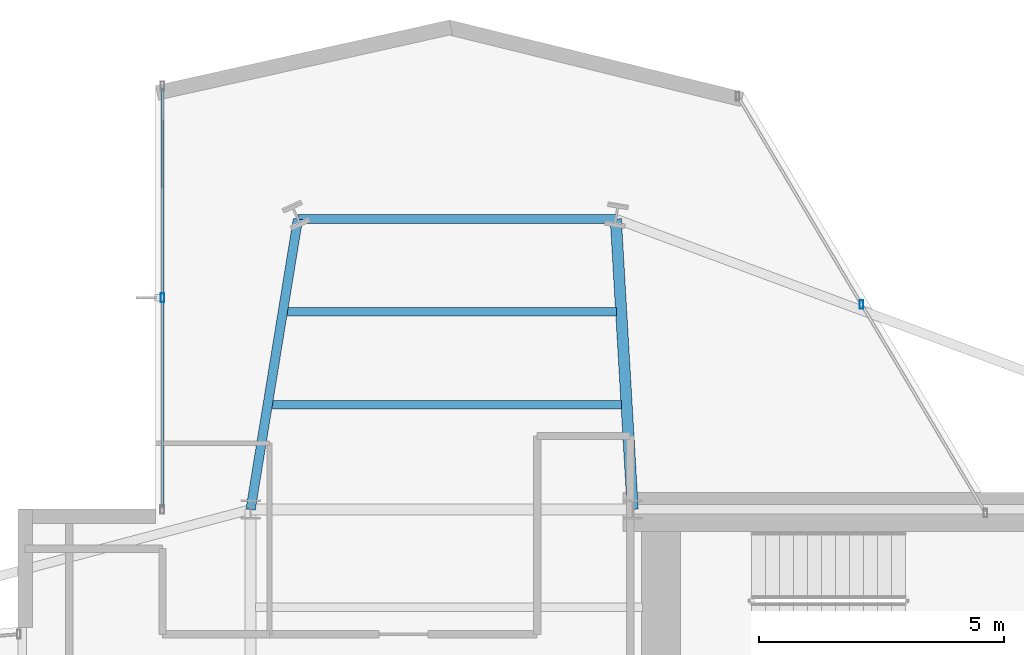
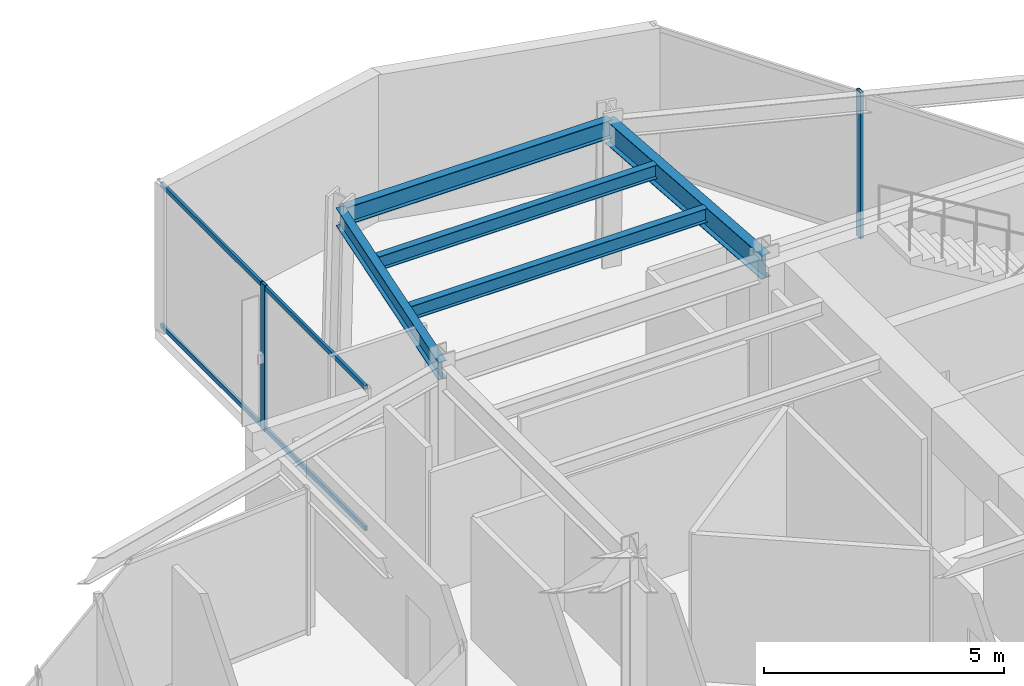
# One storey, part 12 of 23: 5 beams, 4 members, 2 elements without a shape of their own.
"""IFC4 building model written with IfcOpenShell, lengths in metres."""

from ifc_helpers import new_model, si_unit, direction, frame, origin, origin_2d, place, context, subcontext, project, spatial, hollow_rectangle, i_section, extrude, material, layer, layer_set, material_profile, profile_set, type_object, element, aggregate, save


model = new_model("IFC4")

# Units and contexts
model_context = context("Model", 3, precision=1e-05, world=origin(), true_north=direction((0.0, 1.0)))
body_context = subcontext(model_context, "Body", "Model", "MODEL_VIEW")
ifc_project = project(units=[si_unit("LENGTHUNIT", "METRE"), si_unit("AREAUNIT", "SQUARE_METRE"), si_unit("VOLUMEUNIT", "CUBIC_METRE"), si_unit("PLANEANGLEUNIT", "RADIAN"), si_unit("MASSUNIT", "GRAM", prefix="KILO")], contexts=[model_context])

# Site, building, storey
site_placement = place(None, origin())
site = spatial("IfcSite", under=ifc_project, at=site_placement, CompositionType="ELEMENT")
building_placement = place(site_placement, origin())
building = spatial("IfcBuilding", under=site, at=building_placement, Name="Veymaron Broadcast Tower", CompositionType="ELEMENT")
storey_placement = place(building_placement, frame((0.0, 0.0, 177.60009765625)))
storey = spatial("IfcBuildingStorey", under=building, at=storey_placement, Name="L41", CompositionType="ELEMENT", Elevation=177.60009765625)

# Beams
ifc_material_1 = material(Name="Structural steel ASTM A992 Gr 50", Category="steel")
ifc_material_profile_1 = material_profile(ifc_material_1, i_section(OverallWidth=0.22802734375, OverallDepth=0.60791015625, WebThickness=0.01123046875, FlangeThickness=0.017333984375, at=origin_2d()), Name="W610X113")
ifc_profile_set_1 = profile_set([ifc_material_profile_1], Name="Structural steel ASTM A992 Gr 50")
beam_type_1 = type_object("IfcBeamType", Name="BM-FG2", PredefinedType="BEAM", material=ifc_profile_set_1)
beam_1_placement = place(storey_placement, frame((39.0, 32.0, 3.42578125), z_axis=(-0.058076292343, 0.998312147711, 0.0), x_axis=(-0.998312147711, -0.058076292343, 0.0)))
element("IfcBeam", 1, at=beam_1_placement, inside=storey, type_object=beam_type_1, Name="L41 primary structural floor girder", PredefinedType="BEAM", context=body_context, shape_type="SweptSolid", body=[
    extrude(i_section(OverallWidth=0.22802734375, OverallDepth=0.60791015625, WebThickness=0.01123046875, FlangeThickness=0.017333984375, at=origin_2d()), origin(), (0.0, 0.0, 1.0), 5.93994140625),
])
ifc_material_profile_2 = material_profile(ifc_material_1, i_section(OverallWidth=0.1708984375, OverallDepth=0.35498046875, WebThickness=0.007080078125, FlangeThickness=0.01171875, at=origin_2d()), Name="W360X51")
ifc_profile_set_2 = profile_set([ifc_material_profile_2], Name="Structural steel ASTM A992 Gr 50")
beam_type_2 = type_object("IfcBeamType", Name="BM-JS2", PredefinedType="JOIST", material=ifc_profile_set_2)
beam_2_placement = place(storey_placement, frame((31.647705078125, 34.134765625, 3.552490234375), z_axis=(1.0, 0.0, 0.0), x_axis=(0.0, 1.0, 0.0)))
element("IfcBeam", 2, at=beam_2_placement, inside=storey, type_object=beam_type_2, Name="L41 Arm-B secondary joist 1", PredefinedType="JOIST", context=body_context, shape_type="SweptSolid", body=[
    extrude(i_section(OverallWidth=0.1708984375, OverallDepth=0.35498046875, WebThickness=0.007080078125, FlangeThickness=0.01171875, at=origin_2d()), origin(), (0.0, 0.0, 1.0), 7.128173828125),
])
beam_3_placement = place(storey_placement, frame((31.956787109375, 36.032470703125, 3.552490234375), z_axis=(1.0, 0.0, 0.0), x_axis=(0.0, 1.0, 0.0)))
element("IfcBeam", 3, at=beam_3_placement, inside=storey, type_object=beam_type_2, Name="L41 Arm-B secondary joist 2", PredefinedType="JOIST", context=body_context, shape_type="SweptSolid", body=[
    extrude(i_section(OverallWidth=0.1708984375, OverallDepth=0.35498046875, WebThickness=0.007080078125, FlangeThickness=0.01171875, at=origin_2d()), origin(), (0.0, 0.0, 1.0), 6.70849609375),
])
ifc_material_profile_3 = material_profile(ifc_material_1, i_section(OverallWidth=0.19091796875, OverallDepth=0.4599609375, WebThickness=0.010009765625, FlangeThickness=0.01611328125, at=origin_2d()), Name="W460X82")
ifc_profile_set_3 = profile_set([ifc_material_profile_3], Name="Structural steel ASTM A992 Gr 50")
beam_type_3 = type_object("IfcBeamType", Name="BM-SP1", PredefinedType="SPANDREL", material=ifc_profile_set_3)
beam_4_placement = place(storey_placement, frame((31.199951171875, 32.0, 3.5), z_axis=(0.1607934387, 0.986988080005, 0.0), x_axis=(-0.986988080005, 0.1607934387, 0.0)))
element("IfcBeam", 4, at=beam_4_placement, inside=storey, type_object=beam_type_3, Name="L41 primary structural floor girder", PredefinedType="SPANDREL", context=body_context, shape_type="SweptSolid", body=[
    extrude(i_section(OverallWidth=0.19091796875, OverallDepth=0.4599609375, WebThickness=0.010009765625, FlangeThickness=0.01611328125, at=origin_2d()), origin(), (0.0, 0.0, 1.0), 6.008056640625),
])
beam_5_placement = place(storey_placement, frame((32.166015625, 37.929931640625, 3.5), z_axis=(1.0, 0.0, 0.0), x_axis=(0.0, 1.0, 0.0)))
element("IfcBeam", 5, at=beam_5_placement, inside=storey, type_object=beam_type_3, Name="L41 primary structural floor girder", PredefinedType="SPANDREL", context=body_context, shape_type="SweptSolid", body=[
    extrude(i_section(OverallWidth=0.19091796875, OverallDepth=0.4599609375, WebThickness=0.010009765625, FlangeThickness=0.01611328125, at=origin_2d()), origin(), (0.0, 0.0, 1.0), 6.489013671875),
])

# Curtain wall, member
ifc_material_2 = material(Name="Anodised aluminium AA 6063-T6 and laminated low-E dark glass", Category="aluminium")
ifc_layer = layer(ifc_material_2, 0.179931640625)
ifc_layer_set = layer_set([ifc_layer], Name="Anodised aluminium AA 6063-T6 and laminated low-E dark glass")
curtain_wall_type = type_object("IfcCurtainWallType", Name="CW-SYS-03", PredefinedType="NOTDEFINED", material=ifc_layer_set)
curtain_wall_1_placement = place(storey_placement, origin())
curtain_wall_1 = element("IfcCurtainWall", 6, at=curtain_wall_1_placement, inside=storey, type_object=curtain_wall_type, Name="L41 dark-glass curtain wall CW-L41-E5-1", PredefinedType="NOTDEFINED")
ifc_material_3 = material(Name="Anodised aluminium AA 6063-T6", Category="aluminium")
ifc_material_profile_4 = material_profile(ifc_material_3, hollow_rectangle(XDim=0.074951171875, YDim=0.179931640625, WallThickness=0.0048828125, at=origin_2d()), Name="AL180X75X5")
ifc_profile_set_4 = profile_set([ifc_material_profile_4], Name="Anodised aluminium AA 6063-T6")
member_type_1 = type_object("IfcMemberType", Name="CW-MUL-02", PredefinedType="MULLION", material=ifc_profile_set_4)
member_1_placement = place(storey_placement, frame((43.673095703125, 36.182373046875, 0.0), z_axis=(0.0, 0.0, 1.0), x_axis=(1.0, 0.0, 0.0)))
member_1 = element("IfcMember", 7, at=member_1_placement, type_object=member_type_1, Name="CW-L41-E5-1 mullion 1", PredefinedType="MULLION", context=body_context, shape_type="SweptSolid", body=[
    extrude(hollow_rectangle(XDim=0.074951171875, YDim=0.179931640625, WallThickness=0.0048828125, at=origin_2d()), origin(), (0.0, 0.0, 1.0), 3.72998046875),
])
aggregate(curtain_wall_1, [member_1])

# Curtain wall, members
curtain_wall_2_placement = place(storey_placement, origin())
curtain_wall_2 = element("IfcCurtainWall", 8, at=curtain_wall_2_placement, inside=storey, type_object=curtain_wall_type, Name="L41 dark-glass curtain wall CW-L41-E8-1", PredefinedType="NOTDEFINED")
member_2_placement = place(storey_placement, frame((29.398681640625, 36.32080078125, 0.0), z_axis=(0.0, 0.0, 1.0), x_axis=(1.0, 0.0, 0.0)))
member_2 = element("IfcMember", 9, at=member_2_placement, type_object=member_type_1, Name="CW-L41-E8-1 mullion 1", PredefinedType="MULLION", context=body_context, shape_type="SweptSolid", body=[
    extrude(hollow_rectangle(XDim=0.074951171875, YDim=0.179931640625, WallThickness=0.0048828125, at=origin_2d()), origin(), (0.0, 0.0, 1.0), 3.72998046875),
])
ifc_material_profile_5 = material_profile(ifc_material_3, hollow_rectangle(XDim=0.06005859375, YDim=0.1201171875, WallThickness=0.00390625, at=origin_2d()), Name="AL120X60X4")
ifc_profile_set_5 = profile_set([ifc_material_profile_5], Name="Anodised aluminium AA 6063-T6")
member_type_2 = type_object("IfcMemberType", Name="CW-TRN-02", PredefinedType="USERDEFINED", material=ifc_profile_set_5)
member_3_placement = place(storey_placement, frame((29.4013671875, 40.591796875, 0.06982421875), z_axis=(-0.000571624464, -0.999999836623, 0.0), x_axis=(0.999999836623, -0.000571624464, 0.0)))
member_3 = element("IfcMember", 10, at=member_3_placement, type_object=member_type_2, Name="CW-L41-E8-1 transom B", ObjectType="TRANSOM", PredefinedType="USERDEFINED", context=body_context, shape_type="SweptSolid", body=[
    extrude(hollow_rectangle(XDim=0.06005859375, YDim=0.1201171875, WallThickness=0.00390625, at=origin_2d()), origin(), (0.0, 0.0, 1.0), 8.5419921875),
])
member_4_placement = place(storey_placement, frame((29.4013671875, 40.591796875, 3.659912109375), z_axis=(-0.000571624464, -0.999999836623, 0.0), x_axis=(0.999999836623, -0.000571624464, 0.0)))
member_4 = element("IfcMember", 11, at=member_4_placement, type_object=member_type_2, Name="CW-L41-E8-1 transom T", ObjectType="TRANSOM", PredefinedType="USERDEFINED", context=body_context, shape_type="SweptSolid", body=[
    extrude(hollow_rectangle(XDim=0.06005859375, YDim=0.1201171875, WallThickness=0.00390625, at=origin_2d()), origin(), (0.0, 0.0, 1.0), 8.5419921875),
])
aggregate(curtain_wall_2, [member_2, member_3, member_4])

save(model, "model.ifc")
